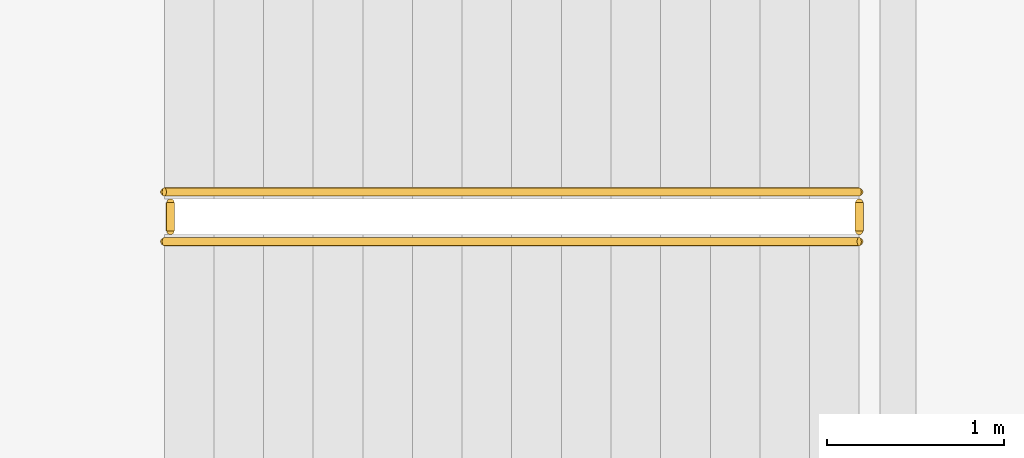
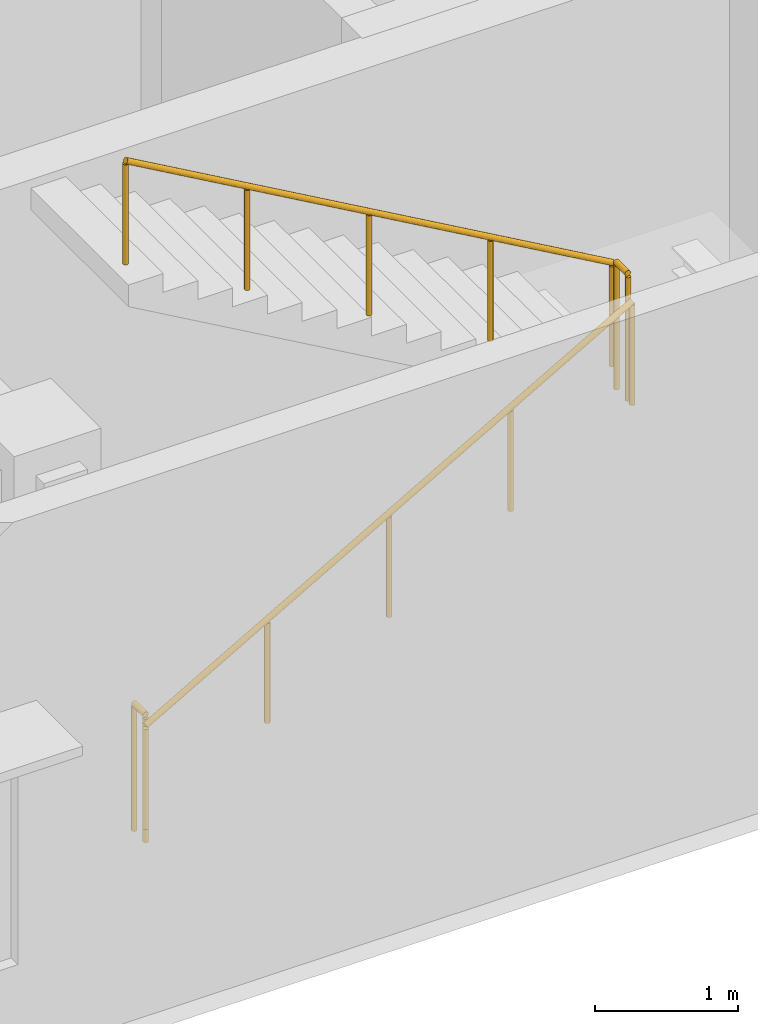
# One storey, part 73 of 76: 4 railings.
"""IFC4 building model written with IfcOpenShell, lengths in metres."""

from ifc_helpers import new_model, si_unit, direction, frame, origin, origin_2d, place, context, subcontext, project, spatial, circle, extrude, material, type_object, element, save


model = new_model("IFC4")

# Units and contexts
model_context = context("Model", 3, precision=1e-05, world=origin(), true_north=direction((0.0, 1.0)))
body_context = subcontext(model_context, "Body", "Model", "MODEL_VIEW")
ifc_project = project(units=[si_unit("LENGTHUNIT", "METRE"), si_unit("AREAUNIT", "SQUARE_METRE"), si_unit("VOLUMEUNIT", "CUBIC_METRE"), si_unit("PLANEANGLEUNIT", "RADIAN"), si_unit("MASSUNIT", "GRAM", prefix="KILO")], contexts=[model_context])

# Site, building, storey
site_placement = place(None, origin())
site = spatial("IfcSite", under=ifc_project, at=site_placement, CompositionType="ELEMENT")
building_placement = place(site_placement, origin())
building = spatial("IfcBuilding", under=site, at=building_placement, Name="Cinchona Park Media Centre", CompositionType="ELEMENT")
storey_placement = place(building_placement, frame((0.0, 0.0, 15.60009765625)))
storey = spatial("IfcBuildingStorey", under=building, at=storey_placement, Name="L03", CompositionType="ELEMENT", Elevation=15.60009765625)

# Railings
ifc_material_1 = material(Name="Painted Steel Stairwell Guardrail", Category="steel")
railing_type_1 = type_object("IfcRailingType", Name="RAILING-GR02", PredefinedType="GUARDRAIL", material=ifc_material_1)
for number, where, name in (
    (1, (166.135009765625, 73.320068359375, 0.0), "Stairwell Guardrail GR02 ST1 L03"),
    (2, (170.02001953125, 73.320068359375, 2.39990234375), "Half-Landing Guardrail GR02 ST1 L03"),
):
    element("IfcRailing", number, at=place(storey_placement, frame(where)), inside=storey, type_object=railing_type_1, Name=name, PredefinedType="GUARDRAIL", context=body_context, shape_type="SweptSolid", body=[
        extrude(circle(Radius=0.02392578125, at=origin_2d()), frame((0.0, 0.0, 1.076171875), z_axis=(0.0, 1.0, 0.0), x_axis=(-1.0, 0.0, 0.0)), (0.0, 0.0, 1.0), 0.159912109375),
        extrude(circle(Radius=0.02099609375, at=origin_2d()), origin(), (0.0, 0.0, 1.0), 1.052001953125),
        extrude(circle(Radius=0.02099609375, at=origin_2d()), frame((0.0, 0.159912109375, 0.0)), (0.0, 0.0, 1.0), 1.052001953125),
    ])
ifc_material_2 = material(Name="Brushed Stainless Steel Handrail", Category="steel")
railing_type_2 = type_object("IfcRailingType", Name="RAILING-HR01", PredefinedType="HANDRAIL", material=ifc_material_2)
railing_1_placement = place(storey_placement, frame((166.10009765625, 73.260009765625, 0.159912109375)))
element("IfcRailing", 3, at=railing_1_placement, inside=storey, type_object=railing_type_2, Name="Stair Handrail HR01 ST1 L03 F1", PredefinedType="HANDRAIL", context=body_context, shape_type="SweptSolid", body=[
    extrude(circle(Radius=0.02392578125, at=origin_2d()), frame((0.0, 0.0, 0.8759765625), z_axis=(0.868239814368, 0.0, 0.496144761885), x_axis=(0.0, 1.0, 0.0)), (0.0, 0.0, 1.0), 4.514892578125),
    extrude(circle(Radius=0.02099609375, at=origin_2d()), origin(), (0.0, 0.0, 1.0), 0.851806640625),
    extrude(circle(Radius=0.02099609375, at=origin_2d()), frame((0.97998046875, 0.0, 0.56005859375)), (0.0, 0.0, 1.0), 0.851806640625),
    extrude(circle(Radius=0.02099609375, at=origin_2d()), frame((1.9599609375, 0.0, 1.1201171875)), (0.0, 0.0, 1.0), 0.851806640625),
    extrude(circle(Radius=0.02099609375, at=origin_2d()), frame((2.93994140625, 0.0, 1.679931640625)), (0.0, 0.0, 1.0), 0.851806640625),
    extrude(circle(Radius=0.02099609375, at=origin_2d()), frame((3.919921875, 0.0, 2.239990234375)), (0.0, 0.0, 1.0), 0.851806640625),
])
railing_2_placement = place(storey_placement, frame((170.02001953125, 73.5400390625, 2.559814453125)))
element("IfcRailing", 4, at=railing_2_placement, inside=storey, type_object=railing_type_2, Name="Stair Handrail HR01 ST1 L03 F2", PredefinedType="HANDRAIL", context=body_context, shape_type="SweptSolid", body=[
    extrude(circle(Radius=0.02392578125, at=origin_2d()), frame((0.0, 0.0, 0.8759765625), z_axis=(-0.868239814368, 0.0, 0.496144761885), x_axis=(0.0, -1.0, 0.0)), (0.0, 0.0, 1.0), 4.514892578125),
    extrude(circle(Radius=0.02099609375, at=origin_2d()), origin(), (0.0, 0.0, 1.0), 0.851806640625),
    extrude(circle(Radius=0.02099609375, at=origin_2d()), frame((-0.97998046875, 0.0, 0.56005859375)), (0.0, 0.0, 1.0), 0.851806640625),
    extrude(circle(Radius=0.02099609375, at=origin_2d()), frame((-1.9599609375, 0.0, 1.1201171875)), (0.0, 0.0, 1.0), 0.851806640625),
    extrude(circle(Radius=0.02099609375, at=origin_2d()), frame((-2.93994140625, 0.0, 1.679931640625)), (0.0, 0.0, 1.0), 0.851806640625),
    extrude(circle(Radius=0.02099609375, at=origin_2d()), frame((-3.919921875, 0.0, 2.239990234375)), (0.0, 0.0, 1.0), 0.851806640625),
])

save(model, "model.ifc")
